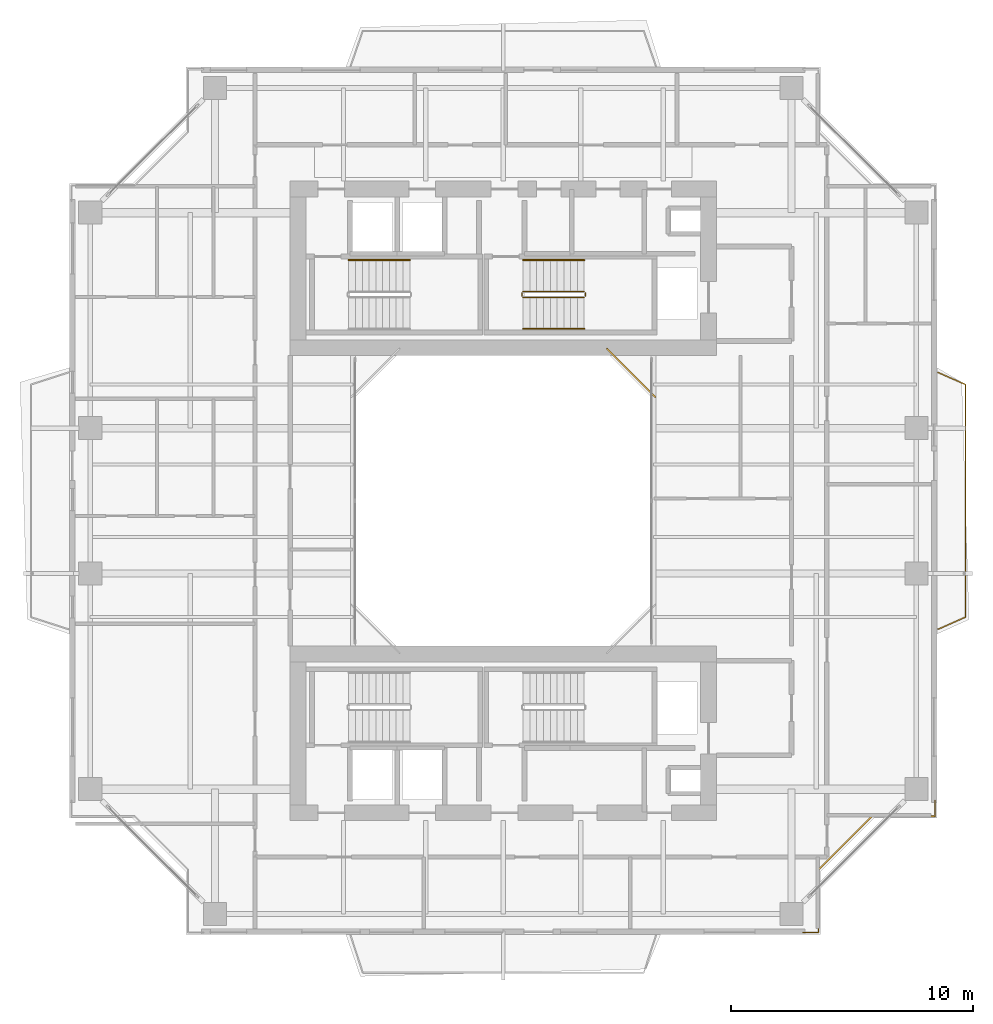
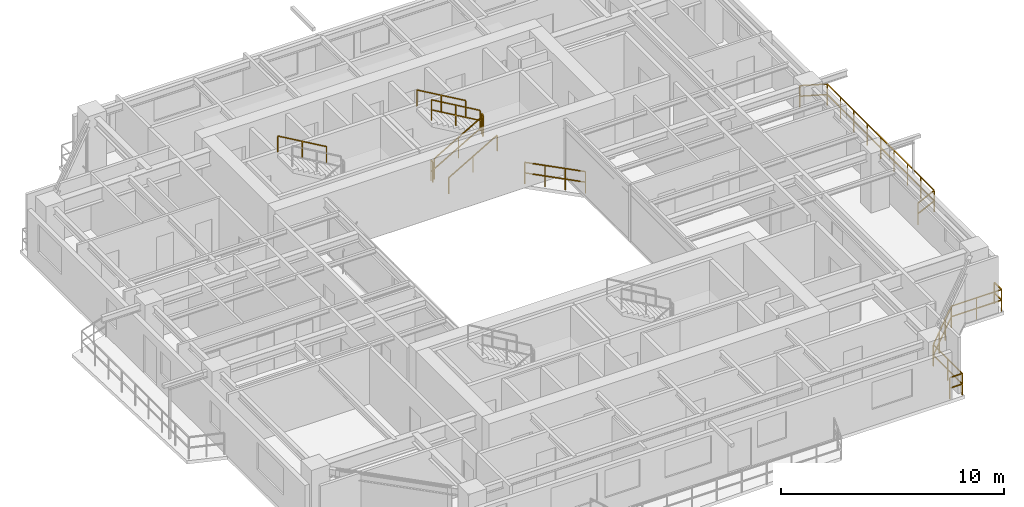
# One storey, part 17 of 18: 10 railings.
"""IFC4 building model written with IfcOpenShell, lengths in metres."""

from ifc_helpers import new_model, si_unit, direction, frame, origin, origin_2d, place, context, subcontext, project, spatial, rectangle, extrude, material, type_object, element, save


model = new_model("IFC4")

# Units and contexts
model_context = context("Model", 3, precision=1e-05, world=origin(), true_north=direction((0.0, 1.0)))
body_context = subcontext(model_context, "Body", "Model", "MODEL_VIEW")
ifc_project = project(units=[si_unit("LENGTHUNIT", "METRE"), si_unit("AREAUNIT", "SQUARE_METRE"), si_unit("VOLUMEUNIT", "CUBIC_METRE"), si_unit("PLANEANGLEUNIT", "RADIAN"), si_unit("MASSUNIT", "GRAM", prefix="KILO"), si_unit("THERMODYNAMICTEMPERATUREUNIT", "KELVIN"), si_unit("POWERUNIT", "WATT")], contexts=[model_context])

# Site, building, storey
site_placement = place(None, origin())
site = spatial("IfcSite", under=ifc_project, at=site_placement, CompositionType="ELEMENT")
building_placement = place(site_placement, origin())
building = spatial("IfcBuilding", under=site, at=building_placement, Name="Qiaomeng Ring Towers", CompositionType="ELEMENT")
storey_placement = place(building_placement, frame((0.0, 0.0, 147.0)))
storey = spatial("IfcBuildingStorey", under=building, at=storey_placement, Name="L42", CompositionType="ELEMENT", Elevation=147.0)

# Railings
ifc_material_1 = material(Name="Low-E pale-green laminated safety glass", Category="glass")
railing_type_1 = type_object("IfcRailingType", Name="ARC-RL-BAL1", PredefinedType="BALUSTRADE", material=ifc_material_1)
railing_1_placement = place(storey_placement, frame((25.280029296875, 27.280029296875, 0.0)))
element("IfcRailing", 1, at=railing_1_placement, inside=storey, type_object=railing_type_1, Name="L42 Balustrade ARC-BAL-WELL1-L42-2", PredefinedType="BALUSTRADE", context=body_context, shape_type="SweptSolid", body=[
    extrude(rectangle(XDim=0.048095703125, YDim=0.048095703125, at=origin_2d()), frame((0.0, 0.0, 1.17578125), z_axis=(-0.707106781187, 0.707106781187, 0.0), x_axis=(-0.707106781187, -0.707106781187, 0.0)), (0.0, 0.0, 1.0), 2.828369140625),
    extrude(rectangle(XDim=0.048095703125, YDim=0.048095703125, at=origin_2d()), frame((0.0, 0.0, 0.60009765625), z_axis=(-0.707106781187, 0.707106781187, 0.0), x_axis=(-0.707106781187, -0.707106781187, 0.0)), (0.0, 0.0, 1.0), 2.828369140625),
    extrude(rectangle(XDim=0.0419921875, YDim=0.0419921875, at=origin_2d()), origin(), (0.0, 0.0, 1.0), 1.15185546875),
    extrude(rectangle(XDim=0.0419921875, YDim=0.0419921875, at=origin_2d()), frame((-0.666748046875, 0.666748046875, 0.0)), (0.0, 0.0, 1.0), 1.15185546875),
    extrude(rectangle(XDim=0.0419921875, YDim=0.0419921875, at=origin_2d()), frame((-1.333251953125, 1.333251953125, 0.0)), (0.0, 0.0, 1.0), 1.15185546875),
    extrude(rectangle(XDim=0.0419921875, YDim=0.0419921875, at=origin_2d()), frame((-2.0, 2.0, 0.0)), (0.0, 0.0, 1.0), 1.15185546875),
])
railing_2_placement = place(storey_placement, frame((31.3701171875, 5.179931640625, 0.0)))
element("IfcRailing", 2, at=railing_2_placement, inside=storey, type_object=railing_type_1, Name="L42 Balustrade ARC-BAL-NOTCH1-L42-SE", PredefinedType="BALUSTRADE", context=body_context, shape_type="SweptSolid", body=[
    extrude(rectangle(XDim=0.048095703125, YDim=0.048095703125, at=origin_2d()), frame((0.0, 0.0, 1.17578125), z_axis=(1.0, 0.0, 0.0), x_axis=(0.0, 1.0, 0.0)), (0.0, 0.0, 1.0), 0.64990234375),
    extrude(rectangle(XDim=0.048095703125, YDim=0.048095703125, at=origin_2d()), frame((0.0, 0.0, 0.60009765625), z_axis=(1.0, 0.0, 0.0), x_axis=(0.0, 1.0, 0.0)), (0.0, 0.0, 1.0), 0.64990234375),
    extrude(rectangle(XDim=0.048095703125, YDim=0.048095703125, at=origin_2d()), frame((0.64990234375, 0.0, 1.17578125), z_axis=(0.0, 1.0, 0.0), x_axis=(-1.0, 0.0, 0.0)), (0.0, 0.0, 1.0), 2.60009765625),
    extrude(rectangle(XDim=0.048095703125, YDim=0.048095703125, at=origin_2d()), frame((0.64990234375, 0.0, 0.60009765625), z_axis=(0.0, 1.0, 0.0), x_axis=(-1.0, 0.0, 0.0)), (0.0, 0.0, 1.0), 2.60009765625),
    extrude(rectangle(XDim=0.048095703125, YDim=0.048095703125, at=origin_2d()), frame((0.64990234375, 2.60009765625, 1.17578125), z_axis=(0.707106781187, 0.707106781187, 0.0), x_axis=(-0.707106781187, 0.707106781187, 0.0)), (0.0, 0.0, 1.0), 3.111083984375),
    extrude(rectangle(XDim=0.048095703125, YDim=0.048095703125, at=origin_2d()), frame((0.64990234375, 2.60009765625, 0.60009765625), z_axis=(0.707106781187, 0.707106781187, 0.0), x_axis=(-0.707106781187, 0.707106781187, 0.0)), (0.0, 0.0, 1.0), 3.111083984375),
    extrude(rectangle(XDim=0.048095703125, YDim=0.048095703125, at=origin_2d()), frame((2.849853515625, 4.800048828125, 1.17578125), z_axis=(1.0, 0.0, 0.0), x_axis=(0.0, 1.0, 0.0)), (0.0, 0.0, 1.0), 2.60009765625),
    extrude(rectangle(XDim=0.048095703125, YDim=0.048095703125, at=origin_2d()), frame((2.849853515625, 4.800048828125, 0.60009765625), z_axis=(1.0, 0.0, 0.0), x_axis=(0.0, 1.0, 0.0)), (0.0, 0.0, 1.0), 2.60009765625),
    extrude(rectangle(XDim=0.048095703125, YDim=0.048095703125, at=origin_2d()), frame((5.449951171875, 4.800048828125, 1.17578125), z_axis=(0.0, 1.0, 0.0), x_axis=(-1.0, 0.0, 0.0)), (0.0, 0.0, 1.0), 0.64990234375),
    extrude(rectangle(XDim=0.048095703125, YDim=0.048095703125, at=origin_2d()), frame((5.449951171875, 4.800048828125, 0.60009765625), z_axis=(0.0, 1.0, 0.0), x_axis=(-1.0, 0.0, 0.0)), (0.0, 0.0, 1.0), 0.64990234375),
    extrude(rectangle(XDim=0.0419921875, YDim=0.0419921875, at=origin_2d()), origin(), (0.0, 0.0, 1.0), 1.15185546875),
    extrude(rectangle(XDim=0.0419921875, YDim=0.0419921875, at=origin_2d()), frame((0.64990234375, 0.0, 0.0)), (0.0, 0.0, 1.0), 1.15185546875),
    extrude(rectangle(XDim=0.0419921875, YDim=0.0419921875, at=origin_2d()), frame((0.64990234375, 1.300048828125, 0.0)), (0.0, 0.0, 1.0), 1.15185546875),
    extrude(rectangle(XDim=0.0419921875, YDim=0.0419921875, at=origin_2d()), frame((0.64990234375, 2.60009765625, 0.0)), (0.0, 0.0, 1.0), 1.15185546875),
    extrude(rectangle(XDim=0.0419921875, YDim=0.0419921875, at=origin_2d()), frame((1.38330078125, 3.33349609375, 0.0)), (0.0, 0.0, 1.0), 1.15185546875),
    extrude(rectangle(XDim=0.0419921875, YDim=0.0419921875, at=origin_2d()), frame((2.116455078125, 4.066650390625, 0.0)), (0.0, 0.0, 1.0), 1.15185546875),
    extrude(rectangle(XDim=0.0419921875, YDim=0.0419921875, at=origin_2d()), frame((2.849853515625, 4.800048828125, 0.0)), (0.0, 0.0, 1.0), 1.15185546875),
    extrude(rectangle(XDim=0.0419921875, YDim=0.0419921875, at=origin_2d()), frame((4.14990234375, 4.800048828125, 0.0)), (0.0, 0.0, 1.0), 1.15185546875),
    extrude(rectangle(XDim=0.0419921875, YDim=0.0419921875, at=origin_2d()), frame((5.449951171875, 4.800048828125, 0.0)), (0.0, 0.0, 1.0), 1.15185546875),
    extrude(rectangle(XDim=0.0419921875, YDim=0.0419921875, at=origin_2d()), frame((5.449951171875, 5.449951171875, 0.0)), (0.0, 0.0, 1.0), 1.15185546875),
])
railing_3_placement = place(storey_placement, frame((36.949951171875, 17.699951171875, 0.0)))
element("IfcRailing", 3, at=railing_3_placement, inside=storey, type_object=railing_type_1, Name="L42 Balustrade ARC-BAL-L42-T1-E", PredefinedType="BALUSTRADE", context=body_context, shape_type="SweptSolid", body=[
    extrude(rectangle(XDim=0.048095703125, YDim=0.048095703125, at=origin_2d()), frame((0.0, 0.0, 1.17578125), z_axis=(0.914494575002, 0.404598161504, 0.0), x_axis=(-0.404598161504, 0.914494575002, 0.0)), (0.0, 0.0, 1.0), 1.23583984375),
    extrude(rectangle(XDim=0.048095703125, YDim=0.048095703125, at=origin_2d()), frame((0.0, 0.0, 0.60009765625), z_axis=(0.914494575002, 0.404598161504, 0.0), x_axis=(-0.404598161504, 0.914494575002, 0.0)), (0.0, 0.0, 1.0), 1.23583984375),
    extrude(rectangle(XDim=0.048095703125, YDim=0.048095703125, at=origin_2d()), frame((1.130126953125, 0.5, 1.17578125), z_axis=(0.0, 1.0, 0.0), x_axis=(-1.0, 0.0, 0.0)), (0.0, 0.0, 1.0), 9.60009765625),
    extrude(rectangle(XDim=0.048095703125, YDim=0.048095703125, at=origin_2d()), frame((1.130126953125, 0.5, 0.60009765625), z_axis=(0.0, 1.0, 0.0), x_axis=(-1.0, 0.0, 0.0)), (0.0, 0.0, 1.0), 9.60009765625),
    extrude(rectangle(XDim=0.048095703125, YDim=0.048095703125, at=origin_2d()), frame((1.130126953125, 10.10009765625, 1.17578125), z_axis=(-0.914494575002, 0.404598161504, 0.0), x_axis=(-0.404598161504, -0.914494575002, 0.0)), (0.0, 0.0, 1.0), 1.23583984375),
    extrude(rectangle(XDim=0.048095703125, YDim=0.048095703125, at=origin_2d()), frame((1.130126953125, 10.10009765625, 0.60009765625), z_axis=(-0.914494575002, 0.404598161504, 0.0), x_axis=(-0.404598161504, -0.914494575002, 0.0)), (0.0, 0.0, 1.0), 1.23583984375),
    extrude(rectangle(XDim=0.0419921875, YDim=0.0419921875, at=origin_2d()), origin(), (0.0, 0.0, 1.0), 1.15185546875),
    extrude(rectangle(XDim=0.0419921875, YDim=0.0419921875, at=origin_2d()), frame((1.130126953125, 0.5, 0.0)), (0.0, 0.0, 1.0), 1.15185546875),
    extrude(rectangle(XDim=0.0419921875, YDim=0.0419921875, at=origin_2d()), frame((1.130126953125, 1.699951171875, 0.0)), (0.0, 0.0, 1.0), 1.15185546875),
    extrude(rectangle(XDim=0.0419921875, YDim=0.0419921875, at=origin_2d()), frame((1.130126953125, 2.89990234375, 0.0)), (0.0, 0.0, 1.0), 1.15185546875),
    extrude(rectangle(XDim=0.0419921875, YDim=0.0419921875, at=origin_2d()), frame((1.130126953125, 4.10009765625, 0.0)), (0.0, 0.0, 1.0), 1.15185546875),
    extrude(rectangle(XDim=0.0419921875, YDim=0.0419921875, at=origin_2d()), frame((1.130126953125, 5.300048828125, 0.0)), (0.0, 0.0, 1.0), 1.15185546875),
    extrude(rectangle(XDim=0.0419921875, YDim=0.0419921875, at=origin_2d()), frame((1.130126953125, 6.5, 0.0)), (0.0, 0.0, 1.0), 1.15185546875),
    extrude(rectangle(XDim=0.0419921875, YDim=0.0419921875, at=origin_2d()), frame((1.130126953125, 7.7001953125, 0.0)), (0.0, 0.0, 1.0), 1.15185546875),
    extrude(rectangle(XDim=0.0419921875, YDim=0.0419921875, at=origin_2d()), frame((1.130126953125, 8.900146484375, 0.0)), (0.0, 0.0, 1.0), 1.15185546875),
    extrude(rectangle(XDim=0.0419921875, YDim=0.0419921875, at=origin_2d()), frame((1.130126953125, 10.10009765625, 0.0)), (0.0, 0.0, 1.0), 1.15185546875),
    extrude(rectangle(XDim=0.0419921875, YDim=0.0419921875, at=origin_2d()), frame((0.0, 10.60009765625, 0.0)), (0.0, 0.0, 1.0), 1.15185546875),
])
ifc_material_2 = material(Name="Galvanised steel", Category="steel")
railing_type_2 = type_object("IfcRailingType", Name="ARC-RL-GUARD", PredefinedType="GUARDRAIL", material=ifc_material_2)
railing_4_placement = place(storey_placement, frame((19.820068359375, 31.39990234375, 0.16259765625)))
element("IfcRailing", 4, at=railing_4_placement, inside=storey, type_object=railing_type_2, Name="L42 ST2 stair guard 1", PredefinedType="GUARDRAIL", context=body_context, shape_type="SweptSolid", body=[
    extrude(rectangle(XDim=0.048095703125, YDim=0.048095703125, at=origin_2d()), frame((0.0, 0.0, 1.1259765625), z_axis=(0.864913338283, 0.0, 0.50192122615), x_axis=(0.0, 1.0, 0.0)), (0.0, 0.0, 1.0), 2.91357421875),
    extrude(rectangle(XDim=0.048095703125, YDim=0.048095703125, at=origin_2d()), frame((0.0, 0.0, 0.574951171875), z_axis=(0.864913338283, 0.0, 0.50192122615), x_axis=(0.0, 1.0, 0.0)), (0.0, 0.0, 1.0), 2.91357421875),
    extrude(rectangle(XDim=0.0419921875, YDim=0.0419921875, at=origin_2d()), origin(), (0.0, 0.0, 1.0), 1.101806640625),
    extrude(rectangle(XDim=0.0419921875, YDim=0.0419921875, at=origin_2d()), frame((1.260009765625, 0.0, 0.731201171875)), (0.0, 0.0, 1.0), 1.101806640625),
    extrude(rectangle(XDim=0.0419921875, YDim=0.0419921875, at=origin_2d()), frame((2.52001953125, 0.0, 1.46240234375)), (0.0, 0.0, 1.0), 1.101806640625),
])
railing_5_placement = place(storey_placement, frame((22.389892578125, 31.449951171875, 1.625)))
element("IfcRailing", 5, at=railing_5_placement, inside=storey, type_object=railing_type_2, Name="L42 ST2 stair guard 2", PredefinedType="GUARDRAIL", context=body_context, shape_type="SweptSolid", body=[
    extrude(rectangle(XDim=0.048095703125, YDim=0.048095703125, at=origin_2d()), frame((0.0, 0.0, 1.1259765625), z_axis=(0.0, 1.0, 0.0), x_axis=(-1.0, 0.0, 0.0)), (0.0, 0.0, 1.0), 0.14013671875),
    extrude(rectangle(XDim=0.048095703125, YDim=0.048095703125, at=origin_2d()), frame((0.0, 0.0, 0.574951171875), z_axis=(0.0, 1.0, 0.0), x_axis=(-1.0, 0.0, 0.0)), (0.0, 0.0, 1.0), 0.14013671875),
    extrude(rectangle(XDim=0.0419921875, YDim=0.0419921875, at=origin_2d()), origin(), (0.0, 0.0, 1.0), 1.101806640625),
    extrude(rectangle(XDim=0.0419921875, YDim=0.0419921875, at=origin_2d()), frame((0.0, 0.14013671875, 0.0)), (0.0, 0.0, 1.0), 1.101806640625),
])
railing_6_placement = place(storey_placement, frame((22.340087890625, 31.639892578125, 1.78759765625)))
element("IfcRailing", 6, at=railing_6_placement, inside=storey, type_object=railing_type_2, Name="L42 ST2 stair guard 3", PredefinedType="GUARDRAIL", context=body_context, shape_type="SweptSolid", body=[
    extrude(rectangle(XDim=0.048095703125, YDim=0.048095703125, at=origin_2d()), frame((0.0, 0.0, 1.1259765625), z_axis=(-0.864913338283, 0.0, 0.50192122615), x_axis=(0.0, -1.0, 0.0)), (0.0, 0.0, 1.0), 2.91357421875),
    extrude(rectangle(XDim=0.048095703125, YDim=0.048095703125, at=origin_2d()), frame((0.0, 0.0, 0.574951171875), z_axis=(-0.864913338283, 0.0, 0.50192122615), x_axis=(0.0, -1.0, 0.0)), (0.0, 0.0, 1.0), 2.91357421875),
    extrude(rectangle(XDim=0.0419921875, YDim=0.0419921875, at=origin_2d()), origin(), (0.0, 0.0, 1.0), 1.101806640625),
    extrude(rectangle(XDim=0.0419921875, YDim=0.0419921875, at=origin_2d()), frame((-1.260009765625, 0.0, 0.731201171875)), (0.0, 0.0, 1.0), 1.101806640625),
    extrude(rectangle(XDim=0.0419921875, YDim=0.0419921875, at=origin_2d()), frame((-2.52001953125, 0.0, 1.46240234375)), (0.0, 0.0, 1.0), 1.101806640625),
])
railing_7_placement = place(storey_placement, frame((19.77001953125, 31.449951171875, 0.0)))
element("IfcRailing", 7, at=railing_7_placement, inside=storey, type_object=railing_type_2, Name="L42 ST2 stair guard 4", PredefinedType="GUARDRAIL", context=body_context, shape_type="SweptSolid", body=[
    extrude(rectangle(XDim=0.048095703125, YDim=0.048095703125, at=origin_2d()), frame((0.0, 0.0, 1.1259765625), z_axis=(0.0, 1.0, 0.0), x_axis=(-1.0, 0.0, 0.0)), (0.0, 0.0, 1.0), 0.14013671875),
    extrude(rectangle(XDim=0.048095703125, YDim=0.048095703125, at=origin_2d()), frame((0.0, 0.0, 0.574951171875), z_axis=(0.0, 1.0, 0.0), x_axis=(-1.0, 0.0, 0.0)), (0.0, 0.0, 1.0), 0.14013671875),
    extrude(rectangle(XDim=0.0419921875, YDim=0.0419921875, at=origin_2d()), origin(), (0.0, 0.0, 1.0), 1.101806640625),
    extrude(rectangle(XDim=0.0419921875, YDim=0.0419921875, at=origin_2d()), frame((0.0, 0.14013671875, 0.0)), (0.0, 0.0, 1.0), 1.101806640625),
])
ifc_material_3 = material(Name="Stainless steel 316", Category="steel")
railing_type_3 = type_object("IfcRailingType", Name="ARC-RL-HAND", PredefinedType="HANDRAIL", material=ifc_material_3)
railing_8_placement = place(storey_placement, frame((15.139892578125, 32.93994140625, 1.78759765625)))
element("IfcRailing", 8, at=railing_8_placement, inside=storey, type_object=railing_type_3, Name="L42 ST1 stair handrail 2", PredefinedType="HANDRAIL", context=body_context, shape_type="SweptSolid", body=[
    extrude(rectangle(XDim=0.048095703125, YDim=0.048095703125, at=origin_2d()), frame((0.0, 0.0, 0.8759765625), z_axis=(-0.864892226395, 0.0, 0.501957604506), x_axis=(0.0, -1.0, 0.0)), (0.0, 0.0, 1.0), 2.913330078125),
    extrude(rectangle(XDim=0.0419921875, YDim=0.0419921875, at=origin_2d()), origin(), (0.0, 0.0, 1.0), 0.851806640625),
    extrude(rectangle(XDim=0.0419921875, YDim=0.0419921875, at=origin_2d()), frame((-1.259765625, 0.0, 0.731201171875)), (0.0, 0.0, 1.0), 0.851806640625),
    extrude(rectangle(XDim=0.0419921875, YDim=0.0419921875, at=origin_2d()), frame((-2.519775390625, 0.0, 1.46240234375)), (0.0, 0.0, 1.0), 0.851806640625),
])
railing_9_placement = place(storey_placement, frame((19.820068359375, 30.10009765625, 0.16259765625)))
element("IfcRailing", 9, at=railing_9_placement, inside=storey, type_object=railing_type_3, Name="L42 ST2 stair handrail 1", PredefinedType="HANDRAIL", context=body_context, shape_type="SweptSolid", body=[
    extrude(rectangle(XDim=0.048095703125, YDim=0.048095703125, at=origin_2d()), frame((0.0, 0.0, 0.8759765625), z_axis=(0.864913338283, 0.0, 0.50192122615), x_axis=(0.0, 1.0, 0.0)), (0.0, 0.0, 1.0), 2.91357421875),
    extrude(rectangle(XDim=0.0419921875, YDim=0.0419921875, at=origin_2d()), origin(), (0.0, 0.0, 1.0), 0.851806640625),
    extrude(rectangle(XDim=0.0419921875, YDim=0.0419921875, at=origin_2d()), frame((1.260009765625, 0.0, 0.731201171875)), (0.0, 0.0, 1.0), 0.851806640625),
    extrude(rectangle(XDim=0.0419921875, YDim=0.0419921875, at=origin_2d()), frame((2.52001953125, 0.0, 1.46240234375)), (0.0, 0.0, 1.0), 0.851806640625),
])
railing_10_placement = place(storey_placement, frame((22.340087890625, 32.93994140625, 1.78759765625)))
element("IfcRailing", 10, at=railing_10_placement, inside=storey, type_object=railing_type_3, Name="L42 ST2 stair handrail 2", PredefinedType="HANDRAIL", context=body_context, shape_type="SweptSolid", body=[
    extrude(rectangle(XDim=0.048095703125, YDim=0.048095703125, at=origin_2d()), frame((0.0, 0.0, 0.8759765625), z_axis=(-0.864913338283, 0.0, 0.50192122615), x_axis=(0.0, -1.0, 0.0)), (0.0, 0.0, 1.0), 2.91357421875),
    extrude(rectangle(XDim=0.0419921875, YDim=0.0419921875, at=origin_2d()), origin(), (0.0, 0.0, 1.0), 0.851806640625),
    extrude(rectangle(XDim=0.0419921875, YDim=0.0419921875, at=origin_2d()), frame((-1.260009765625, 0.0, 0.731201171875)), (0.0, 0.0, 1.0), 0.851806640625),
    extrude(rectangle(XDim=0.0419921875, YDim=0.0419921875, at=origin_2d()), frame((-2.52001953125, 0.0, 1.46240234375)), (0.0, 0.0, 1.0), 0.851806640625),
])

save(model, "model.ifc")
